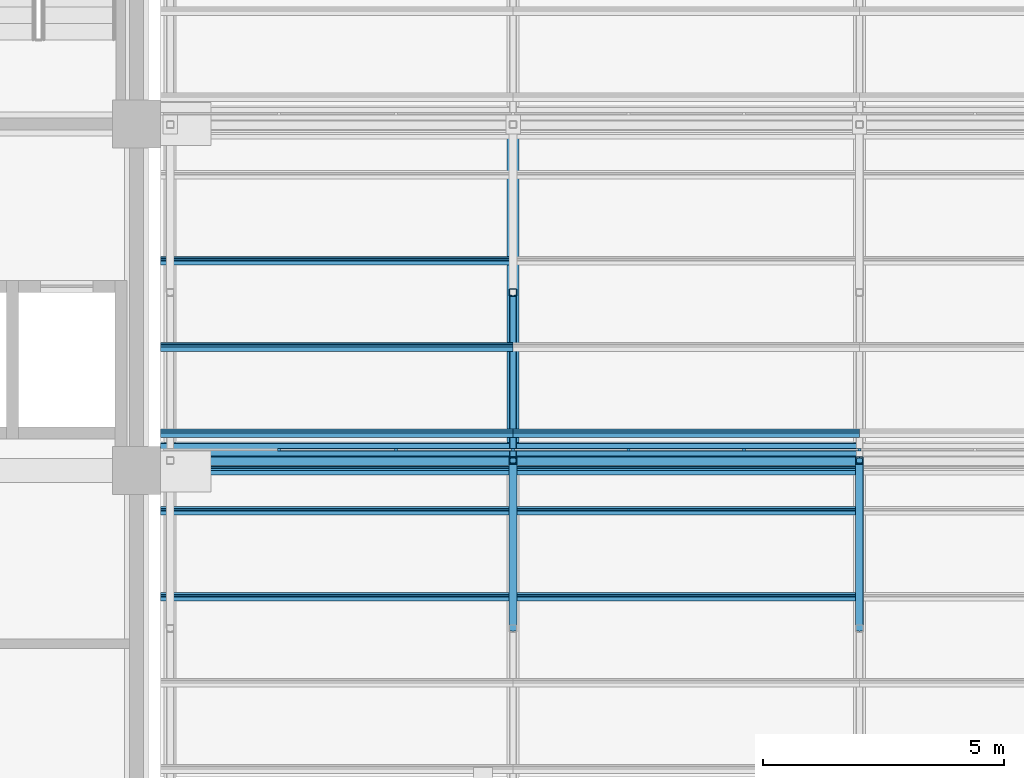
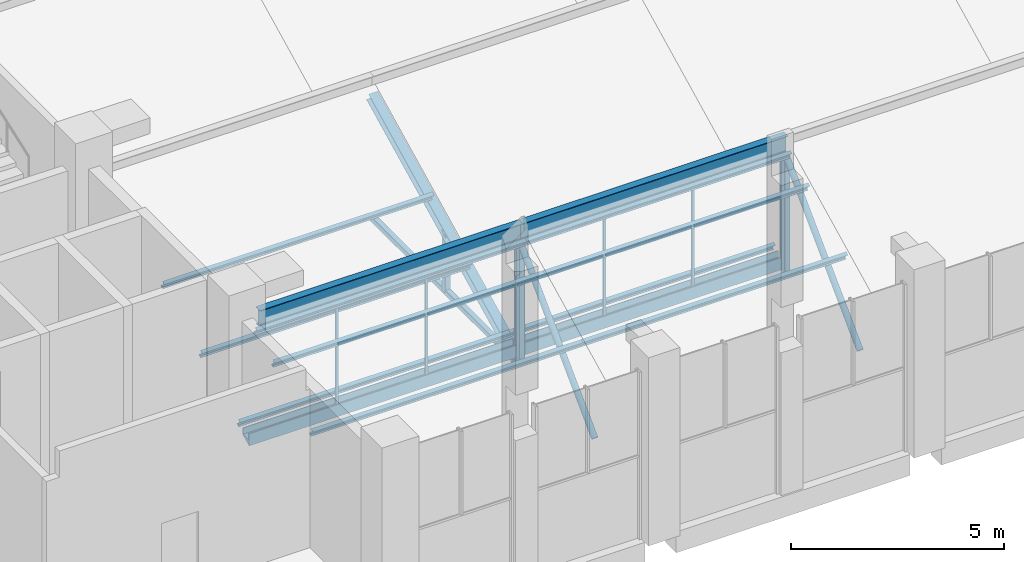
# One storey, part 30 of 83: 32 members, 3 elements without a shape of their own.
"""IFC4 building model written with IfcOpenShell, lengths in metres."""

from ifc_helpers import new_model, si_unit, direction, frame, origin, origin_2d, place, context, subcontext, project, spatial, polyline, rectangle, hollow_rectangle, hollow_circle, i_section, outline, extrude, material, material_profile, profile_set, type_object, element, aggregate, save


model = new_model("IFC4")

# Units and contexts
model_context = context("Model", 3, precision=1e-05, world=origin(), true_north=direction((0.0, 1.0)))
body_context = subcontext(model_context, "Body", "Model", "MODEL_VIEW")
ifc_project = project(units=[si_unit("LENGTHUNIT", "METRE"), si_unit("AREAUNIT", "SQUARE_METRE"), si_unit("VOLUMEUNIT", "CUBIC_METRE"), si_unit("PLANEANGLEUNIT", "RADIAN"), si_unit("MASSUNIT", "GRAM", prefix="KILO")], contexts=[model_context])

# Site, building, storey
site_placement = place(None, origin())
site = spatial("IfcSite", under=ifc_project, at=site_placement, CompositionType="ELEMENT")
building_placement = place(site_placement, origin())
building = spatial("IfcBuilding", under=site, at=building_placement, Name="Silangan Lancet Faculty of Sciences", CompositionType="ELEMENT")
storey_placement = place(building_placement, frame((0.0, 0.0, 11.39990234375)))
storey = spatial("IfcBuildingStorey", under=building, at=storey_placement, Name="L02", CompositionType="ELEMENT", Elevation=11.39990234375)

# Members
ifc_material_1 = material(Name="Steel SS400", Category="steel")
ifc_material_profile_1 = material_profile(ifc_material_1, i_section(OverallWidth=0.199951171875, OverallDepth=0.5, WebThickness=0.010009765625, FlangeThickness=0.01611328125, FilletRadius=0.02001953125, at=origin_2d()), Name="H 500x200x10x16")
ifc_profile_set_1 = profile_set([ifc_material_profile_1], Name="Steel SS400")
member_type_1 = type_object("IfcMemberType", Name="Exposed ridge beam H 500x200x10x16", PredefinedType="MEMBER", material=ifc_profile_set_1)
member_1_placement = place(storey_placement, frame((29.5, 43.40673828125, 3.942626953125), z_axis=(1.0, 0.0, 0.0), x_axis=(0.0, 1.0, 0.0)))
element("IfcMember", 1, at=member_1_placement, inside=storey, type_object=member_type_1, Name="Exposed ridge beam NAB-1-1", PredefinedType="MEMBER", context=body_context, shape_type="SweptSolid", body=[
    extrude(i_section(OverallWidth=0.199951171875, OverallDepth=0.5, WebThickness=0.010009765625, FlangeThickness=0.01611328125, FilletRadius=0.02001953125, at=origin_2d()), origin(), (0.0, 0.0, 1.0), 7.125),
])
member_2_placement = place(storey_placement, frame((36.625, 43.40673828125, 3.942626953125), z_axis=(1.0, 0.0, 0.0), x_axis=(0.0, 1.0, 0.0)))
element("IfcMember", 2, at=member_2_placement, inside=storey, type_object=member_type_1, Name="Exposed ridge beam NAB-1-2", PredefinedType="MEMBER", context=body_context, shape_type="SweptSolid", body=[
    extrude(i_section(OverallWidth=0.199951171875, OverallDepth=0.5, WebThickness=0.010009765625, FlangeThickness=0.01611328125, FilletRadius=0.02001953125, at=origin_2d()), origin(), (0.0, 0.0, 1.0), 7.199951171875),
])

# Curtain wall, members
ifc_material_2 = material(Name="Aluminium and laminated glass", Category="aluminium")
curtain_wall_type = type_object("IfcCurtainWallType", Name="North light glazing system", PredefinedType="NOTDEFINED", material=ifc_material_2)
curtain_wall_1_placement = place(storey_placement, origin())
curtain_wall_1 = element("IfcCurtainWall", 3, at=curtain_wall_1_placement, inside=storey, type_object=curtain_wall_type, Name="North light glazing NAB-1-1", PredefinedType="NOTDEFINED")
ifc_material_3 = material(Name="Aluminium 6063-T6", Category="aluminium")
ifc_material_profile_2 = material_profile(ifc_material_3, rectangle(XDim=0.06005859375, YDim=0.050048828125, at=origin_2d()), Name="AL 60x50")
ifc_profile_set_2 = profile_set([ifc_material_profile_2], Name="Aluminium 6063-T6")
member_type_2 = type_object("IfcMemberType", Name="North light mullion 60x50", PredefinedType="MULLION", material=ifc_profile_set_2)
member_3_placement = place(storey_placement, frame((31.76171875, 43.631591796875, 0.4423828125), z_axis=(0.0, 0.0, 1.0), x_axis=(1.0, 0.0, 0.0)))
member_3 = element("IfcMember", 4, at=member_3_placement, type_object=member_type_2, Name="North light mullion NAB-1-1 2", PredefinedType="MULLION", context=body_context, shape_type="SweptSolid", body=[
    extrude(rectangle(XDim=0.06005859375, YDim=0.050048828125, at=origin_2d()), origin(), (0.0, 0.0, 1.0), 3.60595703125),
])
member_4_placement = place(storey_placement, frame((34.193359375, 43.631591796875, 0.4423828125), z_axis=(0.0, 0.0, 1.0), x_axis=(1.0, 0.0, 0.0)))
member_4 = element("IfcMember", 5, at=member_4_placement, type_object=member_type_2, Name="North light mullion NAB-1-1 3", PredefinedType="MULLION", context=body_context, shape_type="SweptSolid", body=[
    extrude(rectangle(XDim=0.06005859375, YDim=0.050048828125, at=origin_2d()), origin(), (0.0, 0.0, 1.0), 3.60595703125),
])

curtain_wall_2_placement = place(storey_placement, origin())
curtain_wall_2 = element("IfcCurtainWall", 6, at=curtain_wall_2_placement, inside=storey, type_object=curtain_wall_type, Name="North light glazing NAB-1-2", PredefinedType="NOTDEFINED")
member_5_placement = place(storey_placement, frame((36.625, 43.631591796875, 0.4423828125), z_axis=(0.0, 0.0, 1.0), x_axis=(1.0, 0.0, 0.0)))
member_5 = element("IfcMember", 7, at=member_5_placement, type_object=member_type_2, Name="North light mullion NAB-1-2 1", PredefinedType="MULLION", context=body_context, shape_type="SweptSolid", body=[
    extrude(rectangle(XDim=0.06005859375, YDim=0.050048828125, at=origin_2d()), origin(), (0.0, 0.0, 1.0), 3.60595703125),
])
member_6_placement = place(storey_placement, frame((39.02490234375, 43.631591796875, 0.4423828125), z_axis=(0.0, 0.0, 1.0), x_axis=(1.0, 0.0, 0.0)))
member_6 = element("IfcMember", 8, at=member_6_placement, type_object=member_type_2, Name="North light mullion NAB-1-2 2", PredefinedType="MULLION", context=body_context, shape_type="SweptSolid", body=[
    extrude(rectangle(XDim=0.06005859375, YDim=0.050048828125, at=origin_2d()), origin(), (0.0, 0.0, 1.0), 3.60595703125),
])
member_7_placement = place(storey_placement, frame((41.425048828125, 43.631591796875, 0.4423828125), z_axis=(0.0, 0.0, 1.0), x_axis=(1.0, 0.0, 0.0)))
member_7 = element("IfcMember", 9, at=member_7_placement, type_object=member_type_2, Name="North light mullion NAB-1-2 3", PredefinedType="MULLION", context=body_context, shape_type="SweptSolid", body=[
    extrude(rectangle(XDim=0.06005859375, YDim=0.050048828125, at=origin_2d()), origin(), (0.0, 0.0, 1.0), 3.60595703125),
])

# Curtain wall, member
curtain_wall_3_placement = place(storey_placement, origin())
curtain_wall_3 = element("IfcCurtainWall", 10, at=curtain_wall_3_placement, inside=storey, type_object=curtain_wall_type, Name="North light glazing NAB-1-3", PredefinedType="NOTDEFINED")
member_8_placement = place(storey_placement, frame((43.824951171875, 43.631591796875, 0.4423828125), z_axis=(0.0, 0.0, 1.0), x_axis=(1.0, 0.0, 0.0)))
member_8 = element("IfcMember", 11, at=member_8_placement, type_object=member_type_2, Name="North light mullion NAB-1-3 1", PredefinedType="MULLION", context=body_context, shape_type="SweptSolid", body=[
    extrude(rectangle(XDim=0.06005859375, YDim=0.050048828125, at=origin_2d()), origin(), (0.0, 0.0, 1.0), 3.60595703125),
])
aggregate(curtain_wall_3, [member_8])

# Member
ifc_material_4 = material(Name="Aluminium 6063-T6", Category="aluminium")
ifc_material_profile_3 = material_profile(ifc_material_4, rectangle(XDim=0.050048828125, YDim=0.06005859375, at=origin_2d()), Name="AL 50x60")
ifc_profile_set_3 = profile_set([ifc_material_profile_3], Name="Aluminium 6063-T6")
member_type_3 = type_object("IfcMemberType", Name="North light transom 50x60", PredefinedType="USERDEFINED", material=ifc_profile_set_3)
member_9_placement = place(storey_placement, frame((31.791748046875, 43.631591796875, 2.245361328125), z_axis=(1.0, 0.0, 0.0), x_axis=(0.0, 1.0, 0.0)))
member_9 = element("IfcMember", 12, at=member_9_placement, type_object=member_type_3, Name="North light transom NAB-1-1 2", ObjectType="TRANSOM", PredefinedType="USERDEFINED", context=body_context, shape_type="SweptSolid", body=[
    extrude(rectangle(XDim=0.050048828125, YDim=0.06005859375, at=origin_2d()), origin(), (0.0, 0.0, 1.0), 2.37158203125),
])

member_10_placement = place(storey_placement, frame((34.223388671875, 43.631591796875, 2.245361328125), z_axis=(1.0, 0.0, 0.0), x_axis=(0.0, 1.0, 0.0)))
member_10 = element("IfcMember", 13, at=member_10_placement, type_object=member_type_3, Name="North light transom NAB-1-1 3", ObjectType="TRANSOM", PredefinedType="USERDEFINED", context=body_context, shape_type="SweptSolid", body=[
    extrude(rectangle(XDim=0.050048828125, YDim=0.06005859375, at=origin_2d()), origin(), (0.0, 0.0, 1.0), 2.37158203125),
])

aggregate(curtain_wall_1, [member_3, member_4, member_9, member_10])

member_11_placement = place(storey_placement, frame((36.655029296875, 43.631591796875, 2.245361328125), z_axis=(1.0, 0.0, 0.0), x_axis=(0.0, 1.0, 0.0)))
member_11 = element("IfcMember", 14, at=member_11_placement, type_object=member_type_3, Name="North light transom NAB-1-2 1", ObjectType="TRANSOM", PredefinedType="USERDEFINED", context=body_context, shape_type="SweptSolid", body=[
    extrude(rectangle(XDim=0.050048828125, YDim=0.06005859375, at=origin_2d()), origin(), (0.0, 0.0, 1.0), 2.340087890625),
])

member_12_placement = place(storey_placement, frame((39.054931640625, 43.631591796875, 2.245361328125), z_axis=(1.0, 0.0, 0.0), x_axis=(0.0, 1.0, 0.0)))
member_12 = element("IfcMember", 15, at=member_12_placement, type_object=member_type_3, Name="North light transom NAB-1-2 2", ObjectType="TRANSOM", PredefinedType="USERDEFINED", context=body_context, shape_type="SweptSolid", body=[
    extrude(rectangle(XDim=0.050048828125, YDim=0.06005859375, at=origin_2d()), origin(), (0.0, 0.0, 1.0), 2.340087890625),
])

member_13_placement = place(storey_placement, frame((41.455078125, 43.631591796875, 2.245361328125), z_axis=(1.0, 0.0, 0.0), x_axis=(0.0, 1.0, 0.0)))
member_13 = element("IfcMember", 16, at=member_13_placement, type_object=member_type_3, Name="North light transom NAB-1-2 3", ObjectType="TRANSOM", PredefinedType="USERDEFINED", context=body_context, shape_type="SweptSolid", body=[
    extrude(rectangle(XDim=0.050048828125, YDim=0.06005859375, at=origin_2d()), origin(), (0.0, 0.0, 1.0), 2.33984375),
])

aggregate(curtain_wall_2, [member_5, member_6, member_7, member_11, member_12, member_13])

# Members
ifc_material_5 = material(Name="Steel SS400", Category="steel")
ifc_material_profile_4 = material_profile(ifc_material_5, i_section(OverallWidth=0.10009765625, OverallDepth=0.199951171875, WebThickness=0.005615234375, FlangeThickness=0.008056640625, FilletRadius=0.008056640625, at=origin_2d()), Name="H 200x100x5.5x8")
ifc_profile_set_4 = profile_set([ifc_material_profile_4], Name="Steel SS400")
member_type_4 = type_object("IfcMemberType", Name="Sheeting purlin H 200x100x5.5x8", PredefinedType="PURLIN", material=ifc_profile_set_4)
for number, where, z_axis, x_axis, name in (
    (17, (29.300048828125, 40.572998046875, 2.420654296875), (1.0, 0.0, 0.0), (0.0, 0.894427192382, 0.447213592736), "Sheeting purlin NAB-1-1 3"),
    (18, (29.300048828125, 42.36181640625, 3.31494140625), (1.0, 0.0, 0.0), (0.0, 0.894427192382, 0.447213592736), "Sheeting purlin NAB-1-1 4"),
    (19, (29.300048828125, 43.19873046875, 3.7333984375), (1.0, 0.0, 0.0), (0.0, 0.894427192382, 0.447213592736), "Sheeting purlin NAB-1-1 5"),
    (20, (29.300048828125, 43.976806640625, 0.6318359375), (1.0, 0.0, 0.0), (0.0, 0.894427192382, 0.447213592736), "Sheeting purlin NAB-2-1 1"),
    (21, (29.300048828125, 45.765625, 1.526123046875), (1.0, 0.0, 0.0), (0.0, 0.894427192382, 0.447213592736), "Sheeting purlin NAB-2-1 2"),
    (22, (29.300048828125, 47.5546875, 2.420654296875), (1.0, 0.0, 0.0), (0.0, 0.894427192382, 0.447213592736), "Sheeting purlin NAB-2-1 3"),
):
    element("IfcMember", number, at=place(storey_placement, frame(where, z_axis=z_axis, x_axis=x_axis)), inside=storey, type_object=member_type_4, Name=name, PredefinedType="PURLIN", context=body_context, shape_type="SweptSolid", body=[
        extrude(i_section(OverallWidth=0.10009765625, OverallDepth=0.199951171875, WebThickness=0.005615234375, FlangeThickness=0.008056640625, FilletRadius=0.008056640625, at=origin_2d()), origin(), (0.0, 0.0, 1.0), 7.324951171875),
    ])
for number, where, z_axis, x_axis, name in (
    (23, (36.625, 40.572998046875, 2.420654296875), (1.0, 0.0, 0.0), (0.0, 0.894427192382, 0.447213592736), "Sheeting purlin NAB-1-2 3"),
    (24, (36.625, 42.36181640625, 3.31494140625), (1.0, 0.0, 0.0), (0.0, 0.894427192382, 0.447213592736), "Sheeting purlin NAB-1-2 4"),
    (25, (36.625, 43.19873046875, 3.7333984375), (1.0, 0.0, 0.0), (0.0, 0.894427192382, 0.447213592736), "Sheeting purlin NAB-1-2 5"),
    (26, (36.625, 43.976806640625, 0.6318359375), (1.0, 0.0, 0.0), (0.0, 0.894427192382, 0.447213592736), "Sheeting purlin NAB-2-2 1"),
):
    element("IfcMember", number, at=place(storey_placement, frame(where, z_axis=z_axis, x_axis=x_axis)), inside=storey, type_object=member_type_4, Name=name, PredefinedType="PURLIN", context=body_context, shape_type="SweptSolid", body=[
        extrude(i_section(OverallWidth=0.10009765625, OverallDepth=0.199951171875, WebThickness=0.005615234375, FlangeThickness=0.008056640625, FilletRadius=0.008056640625, at=origin_2d()), origin(), (0.0, 0.0, 1.0), 7.199951171875),
    ])
ifc_material_6 = material(Name="Steel STKR400", Category="steel")
ifc_material_profile_5 = material_profile(ifc_material_6, hollow_rectangle(XDim=0.14990234375, YDim=0.14990234375, WallThickness=0.009033203125, InnerFilletRadius=0.009033203125, OuterFilletRadius=0.01806640625, at=origin_2d()), Name="SHS 150x150x9.0")
ifc_profile_set_5 = profile_set([ifc_material_profile_5], Name="Steel STKR400")
member_type_5 = type_object("IfcMemberType", Name="Truss bottom chord SHS 150x150x9.0", PredefinedType="CHORD", material=ifc_profile_set_5)
member_14_placement = place(storey_placement, frame((36.625, 43.40673828125, 0.09521484375), z_axis=(0.0, 1.0, 0.0), x_axis=(-1.0, 0.0, 0.0)))
element("IfcMember", 27, at=member_14_placement, inside=storey, type_object=member_type_5, Name="Truss 2 bottom chord 2", PredefinedType="CHORD", context=body_context, shape_type="SweptSolid", body=[
    extrude(hollow_rectangle(XDim=0.14990234375, YDim=0.14990234375, WallThickness=0.009033203125, InnerFilletRadius=0.009033203125, OuterFilletRadius=0.01806640625, at=origin_2d()), origin(), (0.0, 0.0, 1.0), 6.9814453125),
])
ifc_material_7 = material(Name="Steel STK400", Category="steel")
ifc_material_profile_6 = material_profile(ifc_material_7, hollow_circle(Radius=0.08251953125, WallThickness=0.0048828125, at=origin_2d()), Name="CHS 165.2x5.0")
ifc_profile_set_6 = profile_set([ifc_material_profile_6], Name="Steel STK400")
member_type_6 = type_object("IfcMemberType", Name="Truss diagonal CHS 165.2x5.0", PredefinedType="BRACE", material=ifc_profile_set_6)
for number, where, z_axis, x_axis, name in (
    (28, (36.625, 39.915771484375, 0.09521484375), (0.0, 0.707131507361, 0.707082054147), (-1.0, 0.0, 0.0), "Truss 2 diagonal 1"),
    (29, (43.824951171875, 39.915771484375, 0.09521484375), (0.0, 0.707131507361, 0.707082054147), (-1.0, 0.0, 0.0), "Truss 3 diagonal 1"),
):
    element("IfcMember", number, at=place(storey_placement, frame(where, z_axis=z_axis, x_axis=x_axis)), inside=storey, type_object=member_type_6, Name=name, PredefinedType="BRACE", context=body_context, shape_type="SweptSolid", body=[
        extrude(hollow_circle(Radius=0.08251953125, WallThickness=0.0048828125, at=origin_2d()), origin(), (0.0, 0.0, 1.0), 4.936767578125),
    ])
ifc_material_8 = material(Name="Steel STKR400", Category="steel")
ifc_material_profile_7 = material_profile(ifc_material_8, hollow_rectangle(XDim=0.14990234375, YDim=0.14990234375, WallThickness=0.006103515625, InnerFilletRadius=0.006103515625, OuterFilletRadius=0.011962890625, at=origin_2d()), Name="SHS 150x150x6.0")
ifc_profile_set_7 = profile_set([ifc_material_profile_7], Name="Steel STKR400")
member_type_7 = type_object("IfcMemberType", Name="Truss post SHS 150x150x6.0", PredefinedType="POST", material=ifc_profile_set_7)
member_15_placement = place(storey_placement, frame((36.625, 43.40673828125, 0.09521484375), z_axis=(0.0, 0.0, 1.0), x_axis=(1.0, 0.0, 0.0)))
element("IfcMember", 30, at=member_15_placement, inside=storey, type_object=member_type_7, Name="Truss 2 riser post 1", PredefinedType="POST", context=body_context, shape_type="SweptSolid", body=[
    extrude(hollow_rectangle(XDim=0.14990234375, YDim=0.14990234375, WallThickness=0.006103515625, InnerFilletRadius=0.006103515625, OuterFilletRadius=0.011962890625, at=origin_2d()), origin(), (0.0, 0.0, 1.0), 3.49072265625),
])
member_16_placement = place(storey_placement, frame((36.625, 46.8974609375, 0.09521484375), z_axis=(0.0, 0.0, 1.0), x_axis=(1.0, 0.0, 0.0)))
element("IfcMember", 31, at=member_16_placement, inside=storey, type_object=member_type_7, Name="Truss 2 mid post 2", PredefinedType="POST", context=body_context, shape_type="SweptSolid", body=[
    extrude(hollow_rectangle(XDim=0.14990234375, YDim=0.14990234375, WallThickness=0.006103515625, InnerFilletRadius=0.006103515625, OuterFilletRadius=0.011962890625, at=origin_2d()), origin(), (0.0, 0.0, 1.0), 1.745361328125),
])
member_17_placement = place(storey_placement, frame((43.824951171875, 43.40673828125, 0.09521484375), z_axis=(0.0, 0.0, 1.0), x_axis=(1.0, 0.0, 0.0)))
element("IfcMember", 32, at=member_17_placement, inside=storey, type_object=member_type_7, Name="Truss 3 riser post 1", PredefinedType="POST", context=body_context, shape_type="SweptSolid", body=[
    extrude(hollow_rectangle(XDim=0.14990234375, YDim=0.14990234375, WallThickness=0.006103515625, InnerFilletRadius=0.006103515625, OuterFilletRadius=0.011962890625, at=origin_2d()), origin(), (0.0, 0.0, 1.0), 3.49072265625),
])
ifc_material_9 = material(Name="Steel SS400", Category="steel")
ifc_material_profile_8 = material_profile(ifc_material_9, i_section(OverallWidth=0.25, OverallDepth=0.25, WebThickness=0.009033203125, FlangeThickness=0.013916015625, FilletRadius=0.01611328125, at=origin_2d()), Name="H 250x250x9x14")
ifc_profile_set_8 = profile_set([ifc_material_profile_8], Name="Steel SS400")
member_type_8 = type_object("IfcMemberType", Name="Truss top chord H 250x250x9x14", PredefinedType="CHORD", material=ifc_profile_set_8)
member_18_placement = place(storey_placement, frame((36.625, 43.4873046875, 0.13525390625), z_axis=(0.0, 0.894414533534, 0.447238909537), x_axis=(-1.0, 0.0, 0.0)))
element("IfcMember", 33, at=member_18_placement, inside=storey, type_object=member_type_8, Name="Truss 2 top chord 2", PredefinedType="CHORD", context=body_context, shape_type="SweptSolid", body=[
    extrude(i_section(OverallWidth=0.25, OverallDepth=0.25, WebThickness=0.009033203125, FlangeThickness=0.013916015625, FilletRadius=0.01611328125, at=origin_2d()), origin(), (0.0, 0.0, 1.0), 7.715576171875),
])
ifc_material_10 = material(Name="Stainless steel", Category="steel")
ifc_material_profile_9 = material_profile(ifc_material_10, outline(polyline([(-0.14990234375, 0.0), (0.14990234375, 0.14990234375), (0.14990234375, 0.35009765625), (0.1298828125, 0.35009765625), (0.1298828125, 0.169921875), (-0.1298828125, 0.169921875), (-0.1298828125, 0.35009765625), (-0.14990234375, 0.35009765625), (-0.14990234375, 0.0)])), Name="valley gutter")
ifc_profile_set_9 = profile_set([ifc_material_profile_9], Name="Stainless steel")
member_type_9 = type_object("IfcMemberType", Name="Valley gutter 300 wide", PredefinedType="USERDEFINED", material=ifc_profile_set_9)
member_19_placement = place(storey_placement, frame((29.300048828125, 43.631591796875, 0.2724609375), z_axis=(1.0, 0.0, 0.0), x_axis=(0.0, 1.0, 0.0)))
element("IfcMember", 34, at=member_19_placement, inside=storey, type_object=member_type_9, Name="Valley gutter NAB-2-1", ObjectType="GUTTER", PredefinedType="USERDEFINED", context=body_context, shape_type="SweptSolid", body=[
    extrude(outline(polyline([(-0.14990234375, 0.0), (0.14990234375, 0.14990234375), (0.14990234375, 0.35009765625), (0.1298828125, 0.35009765625), (0.1298828125, 0.169921875), (-0.1298828125, 0.169921875), (-0.1298828125, 0.35009765625), (-0.14990234375, 0.35009765625), (-0.14990234375, 0.0)])), origin(), (0.0, 0.0, 1.0), 7.324951171875),
])
member_20_placement = place(storey_placement, frame((36.625, 43.631591796875, 0.2724609375), z_axis=(1.0, 0.0, 0.0), x_axis=(0.0, 1.0, 0.0)))
element("IfcMember", 35, at=member_20_placement, inside=storey, type_object=member_type_9, Name="Valley gutter NAB-2-2", ObjectType="GUTTER", PredefinedType="USERDEFINED", context=body_context, shape_type="SweptSolid", body=[
    extrude(outline(polyline([(-0.14990234375, 0.0), (0.14990234375, 0.14990234375), (0.14990234375, 0.35009765625), (0.1298828125, 0.35009765625), (0.1298828125, 0.169921875), (-0.1298828125, 0.169921875), (-0.1298828125, 0.35009765625), (-0.14990234375, 0.35009765625), (-0.14990234375, 0.0)])), origin(), (0.0, 0.0, 1.0), 7.199951171875),
])

save(model, "model.ifc")
